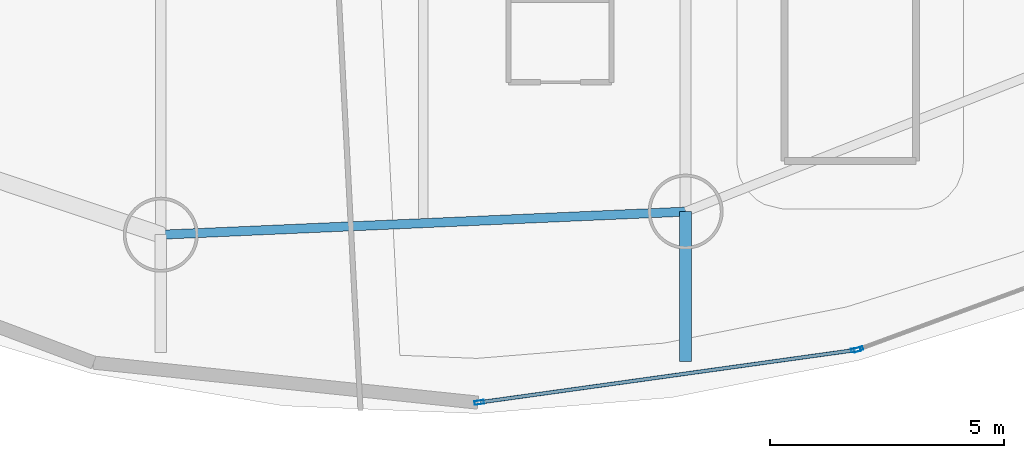
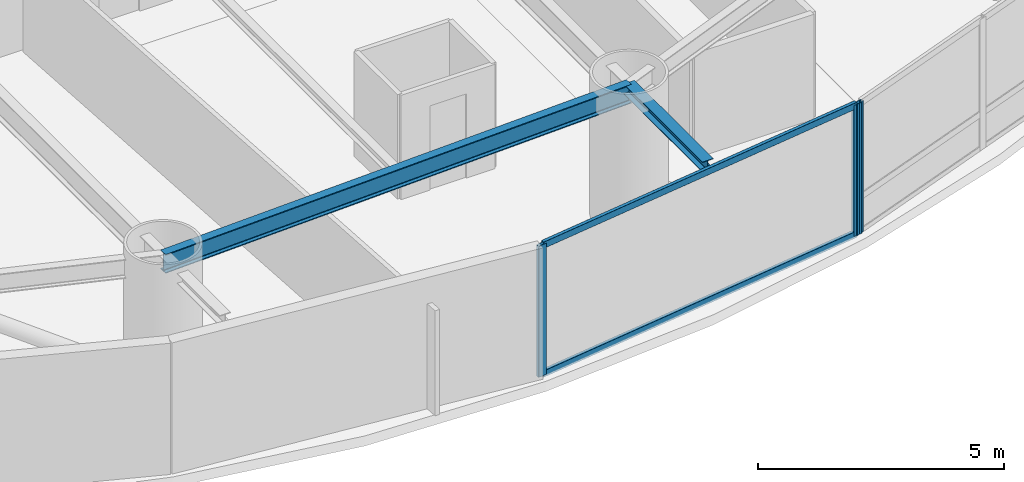
# One storey, part 8 of 30: 5 members, 2 beams, 2 elements without a shape of their own.
"""IFC4 building model written with IfcOpenShell, lengths in metres."""

from ifc_helpers import new_model, si_unit, direction, frame, origin, origin_2d, place, context, subcontext, project, spatial, hollow_rectangle, i_section, extrude, material, layer, layer_set, material_profile, profile_set, type_object, element, aggregate, save


model = new_model("IFC4")

# Units and contexts
model_context = context("Model", 3, precision=1e-05, world=origin(), true_north=direction((0.0, 1.0)))
body_context = subcontext(model_context, "Body", "Model", "MODEL_VIEW")
ifc_project = project(units=[si_unit("LENGTHUNIT", "METRE"), si_unit("AREAUNIT", "SQUARE_METRE"), si_unit("VOLUMEUNIT", "CUBIC_METRE"), si_unit("PLANEANGLEUNIT", "RADIAN"), si_unit("MASSUNIT", "GRAM", prefix="KILO")], contexts=[model_context])

# Site, building, storey
site_placement = place(None, origin())
site = spatial("IfcSite", under=ifc_project, at=site_placement, CompositionType="ELEMENT")
building_placement = place(site_placement, origin())
building = spatial("IfcBuilding", under=site, at=building_placement, Name="Bramvorn Convention Spire", CompositionType="ELEMENT")
storey_placement = place(building_placement, frame((0.0, 0.0, 86.89990234375)))
storey = spatial("IfcBuildingStorey", under=building, at=storey_placement, Name="L20", CompositionType="ELEMENT", Elevation=86.89990234375)

# Beams
ifc_material_1 = material(Name="Steel CSA G40.21 Grade 350 (350W)", Category="steel")
ifc_material_profile_1 = material_profile(ifc_material_1, i_section(OverallWidth=0.25390625, OverallDepth=0.2529296875, WebThickness=0.008544921875, FlangeThickness=0.01416015625, FilletRadius=0.011962890625, at=origin_2d()))
ifc_profile_set_1 = profile_set([ifc_material_profile_1], Name="Steel CSA G40.21 Grade 350 (350W) - W250X73")
beam_type_1 = type_object("IfcBeamType", Name="BM-W250X73", PredefinedType="BEAM", material=ifc_profile_set_1)
beam_1_placement = place(storey_placement, frame((46.23779296875, 5.42333984375, 3.12353515625), z_axis=(0.0, -1.0, 0.0), x_axis=(1.0, 0.0, 0.0)))
element("IfcBeam", 1, at=beam_1_placement, inside=storey, type_object=beam_type_1, Name="L20 slab-edge cantilever tip beam MC14", PredefinedType="BEAM", context=body_context, shape_type="SweptSolid", body=[
    extrude(i_section(OverallWidth=0.25390625, OverallDepth=0.2529296875, WebThickness=0.008544921875, FlangeThickness=0.01416015625, FilletRadius=0.011962890625, at=origin_2d()), origin(), (0.0, 0.0, 1.0), 3.199951171875),
])
ifc_material_profile_2 = material_profile(ifc_material_1, i_section(OverallWidth=0.194091796875, OverallDepth=0.468994140625, WebThickness=0.0126953125, FlangeThickness=0.0205078125, FilletRadius=0.01806640625, at=origin_2d()))
ifc_profile_set_2 = profile_set([ifc_material_profile_2], Name="Steel CSA G40.21 Grade 350 (350W) - W460X106")
beam_type_2 = type_object("IfcBeamType", Name="BM-W460X106", PredefinedType="SPANDREL", material=ifc_profile_set_2)
beam_2_placement = place(storey_placement, frame((35.0390625, 4.93115234375, 3.015625), z_axis=(0.999035582762, 0.043907907889, 0.0), x_axis=(-0.043907907889, 0.999035582762, 0.0)))
element("IfcBeam", 2, at=beam_2_placement, inside=storey, type_object=beam_type_2, Name="L20 mega-column ring beam 13", PredefinedType="SPANDREL", context=body_context, shape_type="SweptSolid", body=[
    extrude(i_section(OverallWidth=0.194091796875, OverallDepth=0.468994140625, WebThickness=0.0126953125, FlangeThickness=0.0205078125, FilletRadius=0.01806640625, at=origin_2d()), origin(), (0.0, 0.0, 1.0), 11.20947265625),
])

# Curtain wall, members
ifc_material_2 = material(Name="Anodised Bronze Unitised Curtain Wall", Category="aluminium")
ifc_layer = layer(ifc_material_2, 0.179931640625)
ifc_layer_set = layer_set([ifc_layer], Name="Anodised Bronze Unitised Curtain Wall - CW-HTL-FRIT")
curtain_wall_type = type_object("IfcCurtainWallType", Name="CW-HTL-FRIT", PredefinedType="USERDEFINED", material=ifc_layer_set)
curtain_wall_1_placement = place(storey_placement, origin())
curtain_wall_1 = element("IfcCurtainWall", 3, at=curtain_wall_1_placement, inside=storey, type_object=curtain_wall_type, Name="L20 fritted glass curtain wall 20", ObjectType="UNITISED CURTAIN WALL", PredefinedType="USERDEFINED")
ifc_material_3 = material(Name="Anodised Bronze Aluminium 6063-T6", Category="aluminium")
ifc_material_profile_3 = material_profile(ifc_material_3, hollow_rectangle(XDim=0.080078125, YDim=0.199951171875, WallThickness=0.00390625, InnerFilletRadius=0.0009765625, OuterFilletRadius=0.00390625, at=origin_2d()))
ifc_profile_set_3 = profile_set([ifc_material_profile_3], Name="Anodised Bronze Aluminium 6063-T6 - CWM80X200")
member_type_1 = type_object("IfcMemberType", Name="CW-MUL-180", PredefinedType="MULLION", material=ifc_profile_set_3)
member_1_placement = place(storey_placement, frame((49.867431640625, 2.470947265625, 0.0), z_axis=(0.0, 0.0, 1.0), x_axis=(0.137894224555, -0.990446961141, 0.0)))
member_1 = element("IfcMember", 4, at=member_1_placement, type_object=member_type_1, Name="CW2 mullion 1", PredefinedType="MULLION", context=body_context, shape_type="SweptSolid", body=[
    extrude(hollow_rectangle(XDim=0.080078125, YDim=0.199951171875, WallThickness=0.00390625, InnerFilletRadius=0.0009765625, OuterFilletRadius=0.00390625, at=origin_2d()), origin(), (0.0, 0.0, 1.0), 3.25),
])
member_2_placement = place(storey_placement, frame((41.834228515625, 1.3525390625, 0.0), z_axis=(0.0, 0.0, 1.0), x_axis=(0.137894224555, -0.990446961141, 0.0)))
member_2 = element("IfcMember", 5, at=member_2_placement, type_object=member_type_1, Name="CW2 mullion 2", PredefinedType="MULLION", context=body_context, shape_type="SweptSolid", body=[
    extrude(hollow_rectangle(XDim=0.080078125, YDim=0.199951171875, WallThickness=0.00390625, InnerFilletRadius=0.0009765625, OuterFilletRadius=0.00390625, at=origin_2d()), origin(), (0.0, 0.0, 1.0), 3.25),
])

# Curtain wall, member
curtain_wall_2_placement = place(storey_placement, origin())
curtain_wall_2 = element("IfcCurtainWall", 6, at=curtain_wall_2_placement, inside=storey, type_object=curtain_wall_type, Name="L20 fritted glass curtain wall 21", ObjectType="UNITISED CURTAIN WALL", PredefinedType="USERDEFINED")
member_3_placement = place(storey_placement, frame((49.92529296875, 2.485595703125, 0.0), z_axis=(0.0, 0.0, 1.0), x_axis=(0.345574215647, -0.938391422318, 0.0)))
member_3 = element("IfcMember", 7, at=member_3_placement, type_object=member_type_1, Name="CW2 mullion 3", PredefinedType="MULLION", context=body_context, shape_type="SweptSolid", body=[
    extrude(hollow_rectangle(XDim=0.080078125, YDim=0.199951171875, WallThickness=0.00390625, InnerFilletRadius=0.0009765625, OuterFilletRadius=0.00390625, at=origin_2d()), origin(), (0.0, 0.0, 1.0), 3.25),
])
aggregate(curtain_wall_2, [member_3])

# Member
ifc_material_profile_4 = material_profile(ifc_material_3, hollow_rectangle(XDim=0.080078125, YDim=0.159912109375, WallThickness=0.00390625, InnerFilletRadius=0.0009765625, OuterFilletRadius=0.00390625, at=origin_2d()))
ifc_profile_set_4 = profile_set([ifc_material_profile_4], Name="Anodised Bronze Aluminium 6063-T6 - CWT80X160")
member_type_2 = type_object("IfcMemberType", Name="CW-TRN-150", PredefinedType="USERDEFINED", material=ifc_profile_set_4)
member_4_placement = place(storey_placement, frame((49.837890625, 2.467041015625, 0.030029296875), z_axis=(-0.990443659409, -0.137917937693, 0.0), x_axis=(0.137917937693, -0.990443659409, 0.0)))
member_4 = element("IfcMember", 8, at=member_4_placement, type_object=member_type_2, Name="CW2 transom 1.1", ObjectType="TRANSOM", PredefinedType="USERDEFINED", context=body_context, shape_type="SweptSolid", body=[
    extrude(hollow_rectangle(XDim=0.080078125, YDim=0.159912109375, WallThickness=0.00390625, InnerFilletRadius=0.0009765625, OuterFilletRadius=0.00390625, at=origin_2d()), origin(), (0.0, 0.0, 1.0), 8.05078125),
])

member_5_placement = place(storey_placement, frame((49.837890625, 2.467041015625, 3.22021484375), z_axis=(-0.990443659409, -0.137917937693, 0.0), x_axis=(0.137917937693, -0.990443659409, 0.0)))
member_5 = element("IfcMember", 9, at=member_5_placement, type_object=member_type_2, Name="CW2 transom 1.2", ObjectType="TRANSOM", PredefinedType="USERDEFINED", context=body_context, shape_type="SweptSolid", body=[
    extrude(hollow_rectangle(XDim=0.080078125, YDim=0.159912109375, WallThickness=0.00390625, InnerFilletRadius=0.0009765625, OuterFilletRadius=0.00390625, at=origin_2d()), origin(), (0.0, 0.0, 1.0), 8.05078125),
])

aggregate(curtain_wall_1, [member_1, member_2, member_4, member_5])

save(model, "model.ifc")
